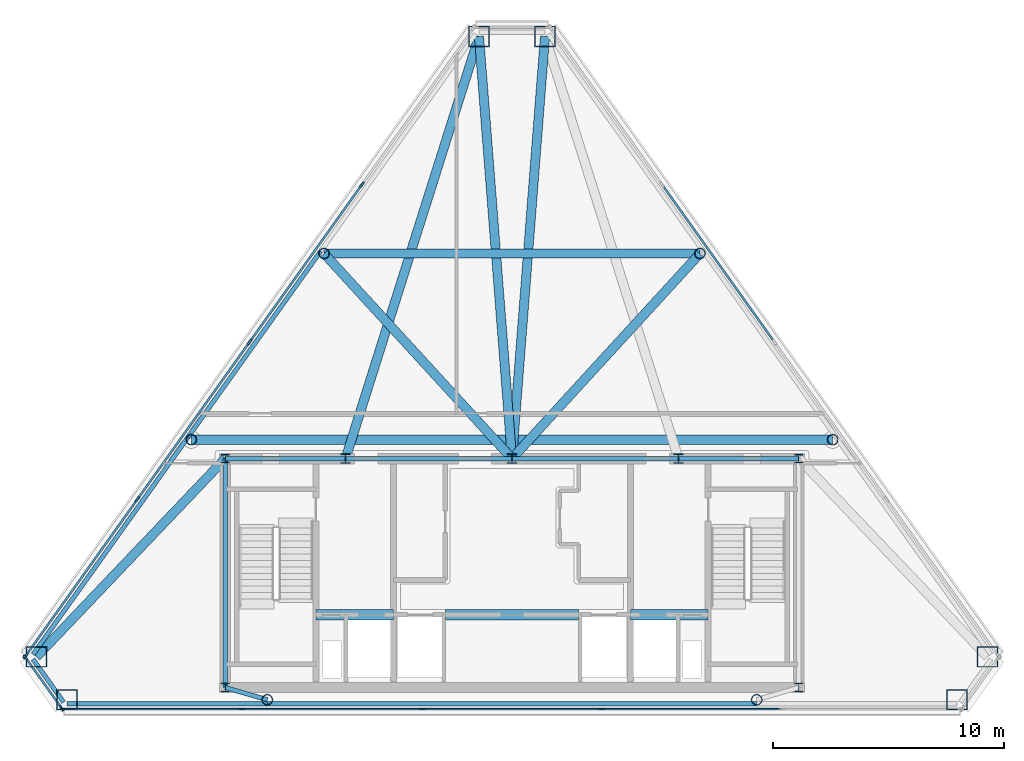
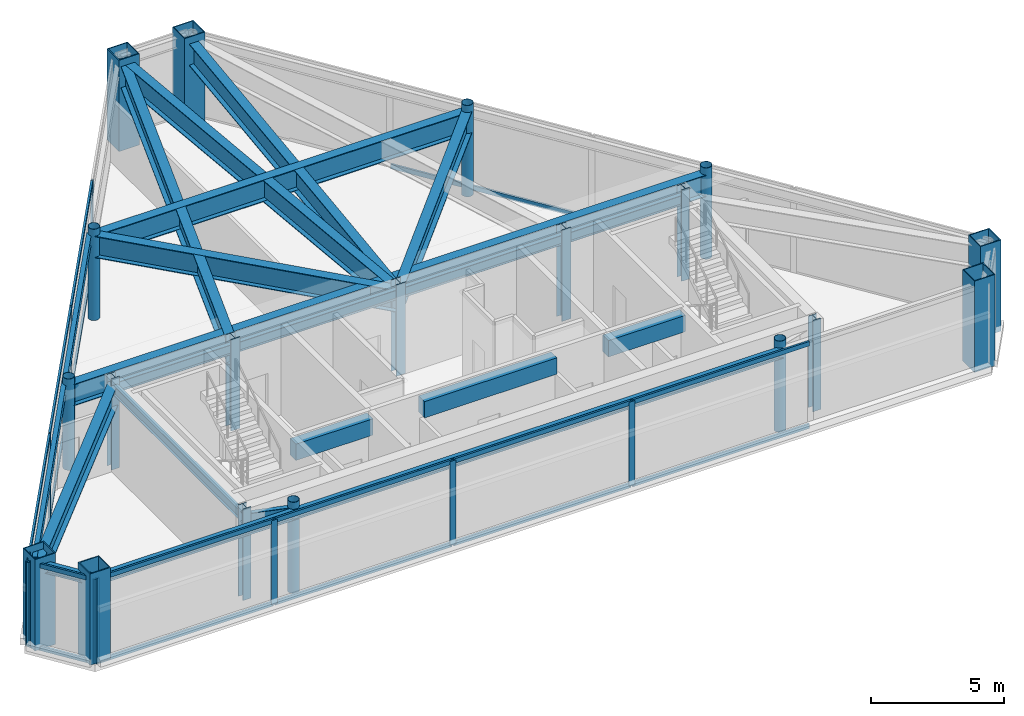
# One storey, part 1 of 5: 27 members, 22 beams, 19 columns, 4 elements without a shape of their own.
"""IFC4 building model written with IfcOpenShell, lengths in metres."""

from ifc_helpers import new_model, si_unit, direction, frame, origin, origin_2d, place, context, subcontext, project, spatial, rectangle, hollow_rectangle, hollow_circle, i_section, extrude, material, layer, layer_set, material_profile, profile_set, type_object, element, aggregate, save


model = new_model("IFC4")

# Units and contexts
model_context = context("Model", 3, precision=1e-05, world=origin(), true_north=direction((0.0, 1.0)))
body_context = subcontext(model_context, "Body", "Model", "MODEL_VIEW")
ifc_project = project(units=[si_unit("LENGTHUNIT", "METRE"), si_unit("AREAUNIT", "SQUARE_METRE"), si_unit("VOLUMEUNIT", "CUBIC_METRE"), si_unit("PLANEANGLEUNIT", "RADIAN"), si_unit("MASSUNIT", "GRAM", prefix="KILO")], contexts=[model_context])

# Site, building, storey
site_placement = place(None, origin())
site = spatial("IfcSite", under=ifc_project, at=site_placement, CompositionType="ELEMENT")
building_placement = place(site_placement, origin())
building = spatial("IfcBuilding", under=site, at=building_placement, Name="Talgorran Terracotta Tower", CompositionType="ELEMENT")
storey_placement = place(building_placement, frame((0.0, 0.0, 297.60009765625)))
storey = spatial("IfcBuildingStorey", under=building, at=storey_placement, Name="L78", CompositionType="ELEMENT", Elevation=297.60009765625)

# Columns
ifc_material_1 = material(Name="Steel S355 (300PLUS)", Category="steel")
ifc_material_profile_1 = material_profile(ifc_material_1, i_section(OverallWidth=0.35205078125, OverallDepth=0.35888671875, WebThickness=0.01806640625, FlangeThickness=0.02587890625, at=origin_2d()), Name="350WC197")
ifc_profile_set_1 = profile_set([ifc_material_profile_1], Name="Steel S355 (300PLUS)")
column_type_1 = type_object("IfcColumnType", Name="COL_350WC197", PredefinedType="COLUMN", material=ifc_profile_set_1)
for number, where, z_axis, x_axis, name in (
    (1, (-12.39990234375, -14.10009765625, 0.0), (0.0, 0.0, 1.0), (1.0, 0.0, 0.0), "L78 Core Boundary Column CC1"),
    (2, (12.39990234375, -14.10009765625, 0.0), (0.0, 0.0, 1.0), (1.0, 0.0, 0.0), "L78 Core Boundary Column CC2"),
    (3, (12.39990234375, -4.199951171875, 0.0), (0.0, 0.0, 1.0), (1.0, 0.0, 0.0), "L78 Core Boundary Column CC3"),
    (4, (-12.39990234375, -4.199951171875, 0.0), (0.0, 0.0, 1.0), (1.0, 0.0, 0.0), "L78 Core Boundary Column CC4"),
):
    element("IfcColumn", number, at=place(storey_placement, frame(where, z_axis=z_axis, x_axis=x_axis)), inside=storey, type_object=column_type_1, Name=name, PredefinedType="COLUMN", context=body_context, shape_type="SweptSolid", body=[
        extrude(i_section(OverallWidth=0.35205078125, OverallDepth=0.35888671875, WebThickness=0.01806640625, FlangeThickness=0.02587890625, at=origin_2d()), origin(), (0.0, 0.0, 1.0), 4.199951171875),
    ])
ifc_material_2 = material(Name="Steel Grade 350 (350L0)", Category="steel")
ifc_material_profile_2 = material_profile(ifc_material_2, hollow_rectangle(XDim=0.89990234375, YDim=0.89990234375, WallThickness=0.0400390625, at=origin_2d()), Name="CFT900X900X40")
ifc_profile_set_2 = profile_set([ifc_material_profile_2], Name="Steel Grade 350 (350L0)")
column_type_2 = type_object("IfcColumnType", Name="COL_CFT_900", PredefinedType="COLUMN", material=ifc_profile_set_2)
for number, where, z_axis, x_axis, name in (
    (5, (-20.566650390625, -12.774658203125, 0.0), (0.0, 0.0, 1.0), (1.0, 0.0, 0.0), "L78 Corner CFT Mega-Column MC1"),
    (6, (-19.242919921875, -14.6298828125, 0.0), (0.0, 0.0, 1.0), (1.0, 0.0, 0.0), "L78 Corner CFT Mega-Column MC2"),
    (7, (19.242919921875, -14.6298828125, 0.0), (0.0, 0.0, 1.0), (1.0, 0.0, 0.0), "L78 Corner CFT Mega-Column MC3"),
    (8, (20.566650390625, -12.774658203125, 0.0), (0.0, 0.0, 1.0), (1.0, 0.0, 0.0), "L78 Corner CFT Mega-Column MC4"),
    (9, (1.4267578125, 14.0546875, 0.0), (0.0, 0.0, 1.0), (1.0, 0.0, 0.0), "L78 Corner CFT Mega-Column MC5"),
    (10, (-1.4267578125, 14.0546875, 0.0), (0.0, 0.0, 1.0), (1.0, 0.0, 0.0), "L78 Corner CFT Mega-Column MC6"),
):
    element("IfcColumn", number, at=place(storey_placement, frame(where, z_axis=z_axis, x_axis=x_axis)), inside=storey, type_object=column_type_2, Name=name, PredefinedType="COLUMN", context=body_context, shape_type="SweptSolid", body=[
        extrude(hollow_rectangle(XDim=0.89990234375, YDim=0.89990234375, WallThickness=0.0400390625, at=origin_2d()), origin(), (0.0, 0.0, 1.0), 4.199951171875),
    ])
ifc_material_3 = material(Name="Steel S350 (C350L0)", Category="steel")
ifc_material_profile_3 = material_profile(ifc_material_3, hollow_circle(Radius=0.228515625, WallThickness=0.01611328125, at=origin_2d()), Name="CHS457X16")
ifc_profile_set_3 = profile_set([ifc_material_profile_3], Name="Steel S350 (C350L0)")
column_type_3 = type_object("IfcColumnType", Name="COL_CHS_457", PredefinedType="COLUMN", material=ifc_profile_set_3)
for number, where, z_axis, x_axis, name in (
    (11, (-10.58349609375, -14.6298828125, 0.0), (0.0, 0.0, 1.0), (1.0, 0.0, 0.0), "L78 Facet Perimeter Column FC1"),
    (12, (10.58349609375, -14.6298828125, 0.0), (0.0, 0.0, 1.0), (1.0, 0.0, 0.0), "L78 Facet Perimeter Column FC2"),
    (13, (13.86767578125, -3.384521484375, 0.0), (0.0, 0.0, 1.0), (1.0, 0.0, 0.0), "L78 Facet Perimeter Column FC3"),
    (14, (8.125732421875, 4.664306640625, 0.0), (0.0, 0.0, 1.0), (1.0, 0.0, 0.0), "L78 Facet Perimeter Column FC4"),
    (15, (-8.125732421875, 4.664306640625, 0.0), (0.0, 0.0, 1.0), (1.0, 0.0, 0.0), "L78 Facet Perimeter Column FC5"),
    (16, (-13.86767578125, -3.384521484375, 0.0), (0.0, 0.0, 1.0), (1.0, 0.0, 0.0), "L78 Facet Perimeter Column FC6"),
):
    element("IfcColumn", number, at=place(storey_placement, frame(where, z_axis=z_axis, x_axis=x_axis)), inside=storey, type_object=column_type_3, Name=name, PredefinedType="COLUMN", context=body_context, shape_type="SweptSolid", body=[
        extrude(hollow_circle(Radius=0.228515625, WallThickness=0.01611328125, at=origin_2d()), origin(), (0.0, 0.0, 1.0), 4.199951171875),
    ])
ifc_material_profile_4 = material_profile(ifc_material_1, i_section(OverallWidth=0.405029296875, OverallDepth=0.4140625, WebThickness=0.02197265625, FlangeThickness=0.031982421875, at=origin_2d()), Name="400WC270")
ifc_profile_set_4 = profile_set([ifc_material_profile_4], Name="Steel S355 (300PLUS)")
column_type_4 = type_object("IfcColumnType", Name="COL_PIL_400WC270", PredefinedType="PILASTER", material=ifc_profile_set_4)
for number, where, z_axis, x_axis, name in (
    (17, (-7.199951171875, -4.199951171875, 0.0), (0.0, 0.0, 1.0), (1.0, 0.0, 0.0), "L78 Core Shear Pilaster CP1"),
    (18, (0.0, -4.199951171875, 0.0), (0.0, 0.0, 1.0), (1.0, 0.0, 0.0), "L78 Core Shear Pilaster CP2"),
    (19, (7.199951171875, -4.199951171875, 0.0), (0.0, 0.0, 1.0), (1.0, 0.0, 0.0), "L78 Core Shear Pilaster CP3"),
):
    element("IfcColumn", number, at=place(storey_placement, frame(where, z_axis=z_axis, x_axis=x_axis)), inside=storey, type_object=column_type_4, Name=name, PredefinedType="PILASTER", context=body_context, shape_type="SweptSolid", body=[
        extrude(i_section(OverallWidth=0.405029296875, OverallDepth=0.4140625, WebThickness=0.02197265625, FlangeThickness=0.031982421875, at=origin_2d()), origin(), (0.0, 0.0, 1.0), 4.199951171875),
    ])

# Beams
ifc_material_profile_5 = material_profile(ifc_material_2, i_section(OverallWidth=0.39990234375, OverallDepth=1.0, WebThickness=0.01611328125, FlangeThickness=0.031005859375, at=origin_2d()), Name="1000WB296")
ifc_profile_set_5 = profile_set([ifc_material_profile_5], Name="Steel Grade 350 (350L0)")
beam_type_1 = type_object("IfcBeamType", Name="BM_1000WB296", PredefinedType="BEAM", material=ifc_profile_set_5)
beam_1_placement = place(storey_placement, frame((-7.199951171875, -4.199951171875, 3.3798828125), z_axis=(0.301538397756, 0.953454033857, 0.0), x_axis=(-0.953454033857, 0.301538397756, 0.0)))
element("IfcBeam", 20, at=beam_1_placement, inside=storey, type_object=beam_type_1, Name="L78 Observation/Crown Girder OG1", PredefinedType="BEAM", context=body_context, shape_type="SweptSolid", body=[
    extrude(i_section(OverallWidth=0.39990234375, OverallDepth=1.0, WebThickness=0.01611328125, FlangeThickness=0.031005859375, at=origin_2d()), origin(), (0.0, 0.0, 1.0), 19.145751953125),
])
for number, where, z_axis, x_axis, name in (
    (21, (0.0, -4.199951171875, 3.3798828125), (-0.077921005866, 0.996959536212, 0.0), (-0.996959536212, -0.077921005866, 0.0), "L78 Observation/Crown Girder OG1T"),
    (22, (0.0, -4.199951171875, 3.3798828125), (0.077921005866, 0.996959536212, 0.0), (-0.996959536212, 0.077921005866, 0.0), "L78 Observation/Crown Girder OG2T"),
):
    element("IfcBeam", number, at=place(storey_placement, frame(where, z_axis=z_axis, x_axis=x_axis)), inside=storey, type_object=beam_type_1, Name=name, PredefinedType="BEAM", context=body_context, shape_type="SweptSolid", body=[
        extrude(i_section(OverallWidth=0.39990234375, OverallDepth=1.0, WebThickness=0.01611328125, FlangeThickness=0.031005859375, at=origin_2d()), origin(), (0.0, 0.0, 1.0), 18.310302734375),
    ])
for number, where, z_axis, x_axis, name in (
    (23, (0.0, -4.199951171875, 3.3798828125), (-0.675731983394, 0.737147398163, 0.0), (-0.737147398163, -0.675731983394, 0.0), "L78 Observation/Crown Girder OG3"),
    (24, (0.0, -4.199951171875, 3.3798828125), (0.675731983394, 0.737147398163, 0.0), (-0.737147398163, 0.675731983394, 0.0), "L78 Observation/Crown Girder OG3B"),
):
    element("IfcBeam", number, at=place(storey_placement, frame(where, z_axis=z_axis, x_axis=x_axis)), inside=storey, type_object=beam_type_1, Name=name, PredefinedType="BEAM", context=body_context, shape_type="SweptSolid", body=[
        extrude(i_section(OverallWidth=0.39990234375, OverallDepth=1.0, WebThickness=0.01611328125, FlangeThickness=0.031005859375, at=origin_2d()), origin(), (0.0, 0.0, 1.0), 12.025146484375),
    ])
beam_2_placement = place(storey_placement, frame((-13.86767578125, -3.384521484375, 3.3798828125), z_axis=(1.0, 0.0, 0.0), x_axis=(0.0, 1.0, 0.0)))
element("IfcBeam", 25, at=beam_2_placement, inside=storey, type_object=beam_type_1, Name="L78 Observation/Crown Girder OG4", PredefinedType="BEAM", context=body_context, shape_type="SweptSolid", body=[
    extrude(i_section(OverallWidth=0.39990234375, OverallDepth=1.0, WebThickness=0.01611328125, FlangeThickness=0.031005859375, at=origin_2d()), origin(), (0.0, 0.0, 1.0), 27.7353515625),
])
beam_3_placement = place(storey_placement, frame((-8.125732421875, 4.664306640625, 3.3798828125), z_axis=(1.0, 0.0, 0.0), x_axis=(0.0, 1.0, 0.0)))
element("IfcBeam", 26, at=beam_3_placement, inside=storey, type_object=beam_type_1, Name="L78 Observation/Crown Girder OG5", PredefinedType="BEAM", context=body_context, shape_type="SweptSolid", body=[
    extrude(i_section(OverallWidth=0.39990234375, OverallDepth=1.0, WebThickness=0.01611328125, FlangeThickness=0.031005859375, at=origin_2d()), origin(), (0.0, 0.0, 1.0), 16.25146484375),
])
beam_4_placement = place(storey_placement, frame((-12.39990234375, -4.199951171875, 3.3798828125), z_axis=(-0.689671131697, -0.724122731382, 0.0), x_axis=(0.724122731382, -0.689671131697, 0.0)))
element("IfcBeam", 27, at=beam_4_placement, inside=storey, type_object=beam_type_1, Name="L78 Observation/Crown Girder OG6", PredefinedType="BEAM", context=body_context, shape_type="SweptSolid", body=[
    extrude(i_section(OverallWidth=0.39990234375, OverallDepth=1.0, WebThickness=0.01611328125, FlangeThickness=0.031005859375, at=origin_2d()), origin(), (0.0, 0.0, 1.0), 11.841552734375),
])
ifc_material_4 = material(Name="Concrete C50/60", Category="concrete")
ifc_material_profile_6 = material_profile(ifc_material_4, rectangle(XDim=0.449951171875, YDim=0.75, at=origin_2d()), Name="RCCB450X750")
ifc_profile_set_6 = profile_set([ifc_material_profile_6], Name="Concrete C50/60")
beam_type_2 = type_object("IfcBeamType", Name="BM_CB_450X750", PredefinedType="LINTEL", material=ifc_profile_set_6)
beam_5_placement = place(storey_placement, frame((-8.47998046875, -10.949951171875, 3.5048828125), z_axis=(1.0, 0.0, 0.0), x_axis=(0.0, 1.0, 0.0)))
element("IfcBeam", 28, at=beam_5_placement, inside=storey, type_object=beam_type_2, Name="L78 Core Shear-Wall Coupling Beam CB1", PredefinedType="LINTEL", context=body_context, shape_type="SweptSolid", body=[
    extrude(rectangle(XDim=0.449951171875, YDim=0.75, at=origin_2d()), origin(), (0.0, 0.0, 1.0), 3.35986328125),
])
beam_6_placement = place(storey_placement, frame((-2.8798828125, -10.949951171875, 3.5048828125), z_axis=(1.0, 0.0, 0.0), x_axis=(0.0, 1.0, 0.0)))
element("IfcBeam", 29, at=beam_6_placement, inside=storey, type_object=beam_type_2, Name="L78 Core Shear-Wall Coupling Beam CB2", PredefinedType="LINTEL", context=body_context, shape_type="SweptSolid", body=[
    extrude(rectangle(XDim=0.449951171875, YDim=0.75, at=origin_2d()), origin(), (0.0, 0.0, 1.0), 5.759765625),
])
beam_7_placement = place(storey_placement, frame((5.1201171875, -10.949951171875, 3.5048828125), z_axis=(1.0, 0.0, 0.0), x_axis=(0.0, 1.0, 0.0)))
element("IfcBeam", 30, at=beam_7_placement, inside=storey, type_object=beam_type_2, Name="L78 Core Shear-Wall Coupling Beam CB3", PredefinedType="LINTEL", context=body_context, shape_type="SweptSolid", body=[
    extrude(rectangle(XDim=0.449951171875, YDim=0.75, at=origin_2d()), origin(), (0.0, 0.0, 1.0), 3.35986328125),
])
ifc_material_profile_7 = material_profile(ifc_material_1, i_section(OverallWidth=0.18994140625, OverallDepth=0.45703125, WebThickness=0.009033203125, FlangeThickness=0.014404296875, at=origin_2d()), Name="460UB74.6")
ifc_profile_set_7 = profile_set([ifc_material_profile_7], Name="Steel S355 (300PLUS)")
beam_type_3 = type_object("IfcBeamType", Name="BM_SP_460UB74", PredefinedType="SPANDREL", material=ifc_profile_set_7)
beam_8_placement = place(storey_placement, frame((-20.713134765625, -12.879150390625, 3.6513671875), z_axis=(0.580772007805, -0.814066259557, 0.0), x_axis=(0.814066259557, 0.580772007805, 0.0)))
element("IfcBeam", 31, at=beam_8_placement, inside=storey, type_object=beam_type_3, Name="L78 Perimeter Spandrel Beam MC1-MC2", PredefinedType="SPANDREL", context=body_context, shape_type="SweptSolid", body=[
    extrude(i_section(OverallWidth=0.18994140625, OverallDepth=0.45703125, WebThickness=0.009033203125, FlangeThickness=0.014404296875, at=origin_2d()), origin(), (0.0, 0.0, 1.0), 2.279296875),
])
beam_9_placement = place(storey_placement, frame((-19.242919921875, -14.81005859375, 3.6513671875), z_axis=(1.0, 0.0, 0.0), x_axis=(0.0, 1.0, 0.0)))
element("IfcBeam", 32, at=beam_9_placement, inside=storey, type_object=beam_type_3, Name="L78 Perimeter Spandrel Beam MC2-FC1", PredefinedType="SPANDREL", context=body_context, shape_type="SweptSolid", body=[
    extrude(i_section(OverallWidth=0.18994140625, OverallDepth=0.45703125, WebThickness=0.009033203125, FlangeThickness=0.014404296875, at=origin_2d()), origin(), (0.0, 0.0, 1.0), 8.659423828125),
])
beam_10_placement = place(storey_placement, frame((-10.58349609375, -14.81005859375, 3.6513671875), z_axis=(1.0, 0.0, 0.0), x_axis=(0.0, 1.0, 0.0)))
element("IfcBeam", 33, at=beam_10_placement, inside=storey, type_object=beam_type_3, Name="L78 Perimeter Spandrel Beam FC1-FC2", PredefinedType="SPANDREL", context=body_context, shape_type="SweptSolid", body=[
    extrude(i_section(OverallWidth=0.18994140625, OverallDepth=0.45703125, WebThickness=0.009033203125, FlangeThickness=0.014404296875, at=origin_2d()), origin(), (0.0, 0.0, 1.0), 21.1669921875),
])
beam_11_placement = place(storey_placement, frame((-8.272216796875, 4.768798828125, 3.6513671875), z_axis=(-0.58076625008, -0.814070367209, 0.0), x_axis=(0.814070367209, -0.58076625008, 0.0)))
element("IfcBeam", 34, at=beam_11_placement, inside=storey, type_object=beam_type_3, Name="L78 Perimeter Spandrel Beam FC5-FC6", PredefinedType="SPANDREL", context=body_context, shape_type="SweptSolid", body=[
    extrude(i_section(OverallWidth=0.18994140625, OverallDepth=0.45703125, WebThickness=0.009033203125, FlangeThickness=0.014404296875, at=origin_2d()), origin(), (0.0, 0.0, 1.0), 9.88671875),
])
beam_12_placement = place(storey_placement, frame((-14.01416015625, -3.27978515625, 3.6513671875), z_axis=(-0.580753577836, -0.81407940757, 0.0), x_axis=(0.81407940757, -0.580753577836, 0.0)))
element("IfcBeam", 35, at=beam_12_placement, inside=storey, type_object=beam_type_3, Name="L78 Perimeter Spandrel Beam FC6-MC1", PredefinedType="SPANDREL", context=body_context, shape_type="SweptSolid", body=[
    extrude(i_section(OverallWidth=0.18994140625, OverallDepth=0.45703125, WebThickness=0.009033203125, FlangeThickness=0.014404296875, at=origin_2d()), origin(), (0.0, 0.0, 1.0), 11.534912109375),
])
beam_13_placement = place(storey_placement, frame((-10.58349609375, -14.6298828125, 3.6513671875), z_axis=(-0.96, 0.28, 0.0), x_axis=(-0.28, -0.96, 0.0)))
element("IfcBeam", 36, at=beam_13_placement, inside=storey, type_object=beam_type_3, Name="L78 South-West Core Tie Beam", PredefinedType="SPANDREL", context=body_context, shape_type="SweptSolid", body=[
    extrude(i_section(OverallWidth=0.18994140625, OverallDepth=0.45703125, WebThickness=0.009033203125, FlangeThickness=0.014404296875, at=origin_2d()), origin(), (0.0, 0.0, 1.0), 1.89208984375),
])
beam_14_placement = place(storey_placement, frame((-12.39990234375, -14.10009765625, 3.6513671875), z_axis=(0.0, 1.0, 0.0), x_axis=(-1.0, 0.0, 0.0)))
element("IfcBeam", 37, at=beam_14_placement, inside=storey, type_object=beam_type_3, Name="L78 Core Frame Beam CFW", PredefinedType="SPANDREL", context=body_context, shape_type="SweptSolid", body=[
    extrude(i_section(OverallWidth=0.18994140625, OverallDepth=0.45703125, WebThickness=0.009033203125, FlangeThickness=0.014404296875, at=origin_2d()), origin(), (0.0, 0.0, 1.0), 9.900146484375),
])
beam_15_placement = place(storey_placement, frame((-12.39990234375, -4.199951171875, 3.6513671875), z_axis=(1.0, 0.0, 0.0), x_axis=(0.0, 1.0, 0.0)))
element("IfcBeam", 38, at=beam_15_placement, inside=storey, type_object=beam_type_3, Name="L78 Core Frame Beam CFN1", PredefinedType="SPANDREL", context=body_context, shape_type="SweptSolid", body=[
    extrude(i_section(OverallWidth=0.18994140625, OverallDepth=0.45703125, WebThickness=0.009033203125, FlangeThickness=0.014404296875, at=origin_2d()), origin(), (0.0, 0.0, 1.0), 5.199951171875),
])
for number, where, z_axis, x_axis, name in (
    (39, (-7.199951171875, -4.199951171875, 3.6513671875), (1.0, 0.0, 0.0), (0.0, 1.0, 0.0), "L78 Core Frame Beam CFN2"),
    (40, (0.0, -4.199951171875, 3.6513671875), (1.0, 0.0, 0.0), (0.0, 1.0, 0.0), "L78 Core Frame Beam CFN3"),
):
    element("IfcBeam", number, at=place(storey_placement, frame(where, z_axis=z_axis, x_axis=x_axis)), inside=storey, type_object=beam_type_3, Name=name, PredefinedType="SPANDREL", context=body_context, shape_type="SweptSolid", body=[
        extrude(i_section(OverallWidth=0.18994140625, OverallDepth=0.45703125, WebThickness=0.009033203125, FlangeThickness=0.014404296875, at=origin_2d()), origin(), (0.0, 0.0, 1.0), 7.199951171875),
    ])
beam_16_placement = place(storey_placement, frame((7.199951171875, -4.199951171875, 3.6513671875), z_axis=(1.0, 0.0, 0.0), x_axis=(0.0, 1.0, 0.0)))
element("IfcBeam", 41, at=beam_16_placement, inside=storey, type_object=beam_type_3, Name="L78 Core Frame Beam CFN4", PredefinedType="SPANDREL", context=body_context, shape_type="SweptSolid", body=[
    extrude(i_section(OverallWidth=0.18994140625, OverallDepth=0.45703125, WebThickness=0.009033203125, FlangeThickness=0.014404296875, at=origin_2d()), origin(), (0.0, 0.0, 1.0), 5.199951171875),
])

# Curtain wall, members
ifc_material_5 = material(Name="Anodised Aluminium Louvre", Category="aluminium")
ifc_layer = layer(ifc_material_5, 0.25, Name="CW_SYS4_LOUVRE")
ifc_layer_set = layer_set([ifc_layer], Name="Anodised Aluminium Louvre")
curtain_wall_type = type_object("IfcCurtainWallType", Name="CW_SYS4_LOUVRE", PredefinedType="NOTDEFINED", material=ifc_layer_set)
curtain_wall_1_placement = place(storey_placement, origin())
curtain_wall_1 = element("IfcCurtainWall", 42, at=curtain_wall_1_placement, inside=storey, type_object=curtain_wall_type, Name="CW-L78-F0", PredefinedType="NOTDEFINED")
ifc_material_6 = material(Name="Architectural Aluminium 6063-T6", Category="aluminium")
ifc_material_profile_8 = material_profile(ifc_material_6, rectangle(XDim=0.0849609375, YDim=0.260009765625, at=origin_2d()), Name="CWM85X260")
ifc_profile_set_8 = profile_set([ifc_material_profile_8], Name="Architectural Aluminium 6063-T6")
member_type_1 = type_object("IfcMemberType", Name="MUL_85X260", PredefinedType="MULLION", material=ifc_profile_set_8)
member_1_placement = place(storey_placement, frame((-21.033203125, -12.80908203125, 0.0), z_axis=(0.0, 0.0, 1.0), x_axis=(0.814074765018, 0.580760085543, 0.0)))
member_1 = element("IfcMember", 43, at=member_1_placement, type_object=member_type_1, Name="CW-L78-0 mullion 1", PredefinedType="MULLION", context=body_context, shape_type="SweptSolid", body=[
    extrude(rectangle(XDim=0.0849609375, YDim=0.260009765625, at=origin_2d()), origin(), (0.0, 0.0, 1.0), 3.8798828125),
])
member_2_placement = place(storey_placement, frame((-19.4736328125, -14.995361328125, 0.0), z_axis=(0.0, 0.0, 1.0), x_axis=(0.814074765018, 0.580760085543, 0.0)))
member_2 = element("IfcMember", 44, at=member_2_placement, type_object=member_type_1, Name="CW-L78-0 mullion 2", PredefinedType="MULLION", context=body_context, shape_type="SweptSolid", body=[
    extrude(rectangle(XDim=0.0849609375, YDim=0.260009765625, at=origin_2d()), origin(), (0.0, 0.0, 1.0), 3.8798828125),
])

curtain_wall_2_placement = place(storey_placement, origin())
curtain_wall_2 = element("IfcCurtainWall", 45, at=curtain_wall_2_placement, inside=storey, type_object=curtain_wall_type, Name="CW-L78-F1", PredefinedType="NOTDEFINED")
member_3_placement = place(storey_placement, frame((-19.406494140625, -15.030029296875, 0.0), z_axis=(0.0, 0.0, 1.0), x_axis=(0.0, 1.0, 0.0)))
member_3 = element("IfcMember", 46, at=member_3_placement, type_object=member_type_1, Name="CW-L78-1 mullion 1", PredefinedType="MULLION", context=body_context, shape_type="SweptSolid", body=[
    extrude(rectangle(XDim=0.0849609375, YDim=0.260009765625, at=origin_2d()), origin(), (0.0, 0.0, 1.0), 3.8798828125),
])
member_4_placement = place(storey_placement, frame((-11.66943359375, -15.030029296875, 0.0), z_axis=(0.0, 0.0, 1.0), x_axis=(0.0, 1.0, 0.0)))
member_4 = element("IfcMember", 47, at=member_4_placement, type_object=member_type_1, Name="CW-L78-1 mullion 2", PredefinedType="MULLION", context=body_context, shape_type="SweptSolid", body=[
    extrude(rectangle(XDim=0.0849609375, YDim=0.260009765625, at=origin_2d()), origin(), (0.0, 0.0, 1.0), 3.8798828125),
])
member_5_placement = place(storey_placement, frame((-3.889892578125, -15.030029296875, 0.0), z_axis=(0.0, 0.0, 1.0), x_axis=(0.0, 1.0, 0.0)))
member_5 = element("IfcMember", 48, at=member_5_placement, type_object=member_type_1, Name="CW-L78-1 mullion 3", PredefinedType="MULLION", context=body_context, shape_type="SweptSolid", body=[
    extrude(rectangle(XDim=0.0849609375, YDim=0.260009765625, at=origin_2d()), origin(), (0.0, 0.0, 1.0), 3.8798828125),
])
member_6_placement = place(storey_placement, frame((3.889892578125, -15.030029296875, 0.0), z_axis=(0.0, 0.0, 1.0), x_axis=(0.0, 1.0, 0.0)))
member_6 = element("IfcMember", 49, at=member_6_placement, type_object=member_type_1, Name="CW-L78-1 mullion 4", PredefinedType="MULLION", context=body_context, shape_type="SweptSolid", body=[
    extrude(rectangle(XDim=0.0849609375, YDim=0.260009765625, at=origin_2d()), origin(), (0.0, 0.0, 1.0), 3.8798828125),
])

curtain_wall_3_placement = place(storey_placement, origin())
curtain_wall_3 = element("IfcCurtainWall", 50, at=curtain_wall_3_placement, inside=storey, type_object=curtain_wall_type, Name="CW-L78-F5", PredefinedType="NOTDEFINED")
member_7_placement = place(storey_placement, frame((-6.489013671875, 7.647216796875, 0.0), z_axis=(0.0, 0.0, 1.0), x_axis=(0.814075935218, -0.580758445224, 0.0)))
member_7 = element("IfcMember", 51, at=member_7_placement, type_object=member_type_1, Name="CW-L78-5 mullion 2", PredefinedType="MULLION", context=body_context, shape_type="SweptSolid", body=[
    extrude(rectangle(XDim=0.0849609375, YDim=0.260009765625, at=origin_2d()), origin(), (0.0, 0.0, 1.0), 3.8798828125),
])
member_8_placement = place(storey_placement, frame((-11.345458984375, 0.840087890625, 0.0), z_axis=(0.0, 0.0, 1.0), x_axis=(0.814075935218, -0.580758445224, 0.0)))
member_8 = element("IfcMember", 52, at=member_8_placement, type_object=member_type_1, Name="CW-L78-5 mullion 3", PredefinedType="MULLION", context=body_context, shape_type="SweptSolid", body=[
    extrude(rectangle(XDim=0.0849609375, YDim=0.260009765625, at=origin_2d()), origin(), (0.0, 0.0, 1.0), 3.8798828125),
])
member_9_placement = place(storey_placement, frame((-16.20166015625, -5.96728515625, 0.0), z_axis=(0.0, 0.0, 1.0), x_axis=(0.814075935218, -0.580758445224, 0.0)))
member_9 = element("IfcMember", 53, at=member_9_placement, type_object=member_type_1, Name="CW-L78-5 mullion 4", PredefinedType="MULLION", context=body_context, shape_type="SweptSolid", body=[
    extrude(rectangle(XDim=0.0849609375, YDim=0.260009765625, at=origin_2d()), origin(), (0.0, 0.0, 1.0), 3.8798828125),
])
member_10_placement = place(storey_placement, frame((-21.033203125, -12.739990234375, 0.0), z_axis=(0.0, 0.0, 1.0), x_axis=(0.814075935218, -0.580758445224, 0.0)))
member_10 = element("IfcMember", 54, at=member_10_placement, type_object=member_type_1, Name="CW-L78-5 mullion 5", PredefinedType="MULLION", context=body_context, shape_type="SweptSolid", body=[
    extrude(rectangle(XDim=0.0849609375, YDim=0.260009765625, at=origin_2d()), origin(), (0.0, 0.0, 1.0), 3.8798828125),
])

# Member
ifc_material_profile_9 = material_profile(ifc_material_6, rectangle(XDim=0.0849609375, YDim=0.2099609375, at=origin_2d()), Name="CWT85X210")
ifc_profile_set_9 = profile_set([ifc_material_profile_9], Name="Architectural Aluminium 6063-T6")
member_type_2 = type_object("IfcMemberType", Name="TRN_85X210", PredefinedType="USERDEFINED", material=ifc_profile_set_9)
member_11_placement = place(storey_placement, frame((-21.008544921875, -12.84375, 0.04248046875), z_axis=(0.580767406983, -0.814069541861, 0.0), x_axis=(0.814069541861, 0.580767406983, 0.0)))
member_11 = element("IfcMember", 55, at=member_11_placement, type_object=member_type_2, Name="CW-L78-0 transom 1.1", ObjectType="TRANSOM", PredefinedType="USERDEFINED", context=body_context, shape_type="SweptSolid", body=[
    extrude(rectangle(XDim=0.0849609375, YDim=0.2099609375, at=origin_2d()), origin(), (0.0, 0.0, 1.0), 2.600341796875),
])

member_12_placement = place(storey_placement, frame((-21.008544921875, -12.84375, 3.83740234375), z_axis=(0.580767406983, -0.814069541861, 0.0), x_axis=(0.814069541861, 0.580767406983, 0.0)))
member_12 = element("IfcMember", 56, at=member_12_placement, type_object=member_type_2, Name="CW-L78-0 transom 1.2", ObjectType="TRANSOM", PredefinedType="USERDEFINED", context=body_context, shape_type="SweptSolid", body=[
    extrude(rectangle(XDim=0.0849609375, YDim=0.2099609375, at=origin_2d()), origin(), (0.0, 0.0, 1.0), 2.600341796875),
])

aggregate(curtain_wall_1, [member_1, member_2, member_11, member_12])

member_13_placement = place(storey_placement, frame((-19.364013671875, -15.030029296875, 0.04248046875), z_axis=(1.0, 0.0, 0.0), x_axis=(0.0, 1.0, 0.0)))
member_13 = element("IfcMember", 57, at=member_13_placement, type_object=member_type_2, Name="CW-L78-1 transom 1.1", ObjectType="TRANSOM", PredefinedType="USERDEFINED", context=body_context, shape_type="SweptSolid", body=[
    extrude(rectangle(XDim=0.0849609375, YDim=0.2099609375, at=origin_2d()), origin(), (0.0, 0.0, 1.0), 7.652099609375),
])

member_14_placement = place(storey_placement, frame((-19.364013671875, -15.030029296875, 3.83740234375), z_axis=(1.0, 0.0, 0.0), x_axis=(0.0, 1.0, 0.0)))
member_14 = element("IfcMember", 58, at=member_14_placement, type_object=member_type_2, Name="CW-L78-1 transom 1.2", ObjectType="TRANSOM", PredefinedType="USERDEFINED", context=body_context, shape_type="SweptSolid", body=[
    extrude(rectangle(XDim=0.0849609375, YDim=0.2099609375, at=origin_2d()), origin(), (0.0, 0.0, 1.0), 7.652099609375),
])

member_15_placement = place(storey_placement, frame((-11.626953125, -15.030029296875, 0.04248046875), z_axis=(1.0, 0.0, 0.0), x_axis=(0.0, 1.0, 0.0)))
member_15 = element("IfcMember", 59, at=member_15_placement, type_object=member_type_2, Name="CW-L78-1 transom 2.1", ObjectType="TRANSOM", PredefinedType="USERDEFINED", context=body_context, shape_type="SweptSolid", body=[
    extrude(rectangle(XDim=0.0849609375, YDim=0.2099609375, at=origin_2d()), origin(), (0.0, 0.0, 1.0), 7.694580078125),
])

member_16_placement = place(storey_placement, frame((-11.626953125, -15.030029296875, 3.83740234375), z_axis=(1.0, 0.0, 0.0), x_axis=(0.0, 1.0, 0.0)))
member_16 = element("IfcMember", 60, at=member_16_placement, type_object=member_type_2, Name="CW-L78-1 transom 2.2", ObjectType="TRANSOM", PredefinedType="USERDEFINED", context=body_context, shape_type="SweptSolid", body=[
    extrude(rectangle(XDim=0.0849609375, YDim=0.2099609375, at=origin_2d()), origin(), (0.0, 0.0, 1.0), 7.694580078125),
])

member_17_placement = place(storey_placement, frame((-3.847412109375, -15.030029296875, 0.04248046875), z_axis=(1.0, 0.0, 0.0), x_axis=(0.0, 1.0, 0.0)))
member_17 = element("IfcMember", 61, at=member_17_placement, type_object=member_type_2, Name="CW-L78-1 transom 3.1", ObjectType="TRANSOM", PredefinedType="USERDEFINED", context=body_context, shape_type="SweptSolid", body=[
    extrude(rectangle(XDim=0.0849609375, YDim=0.2099609375, at=origin_2d()), origin(), (0.0, 0.0, 1.0), 7.69482421875),
])

member_18_placement = place(storey_placement, frame((-3.847412109375, -15.030029296875, 3.83740234375), z_axis=(1.0, 0.0, 0.0), x_axis=(0.0, 1.0, 0.0)))
member_18 = element("IfcMember", 62, at=member_18_placement, type_object=member_type_2, Name="CW-L78-1 transom 3.2", ObjectType="TRANSOM", PredefinedType="USERDEFINED", context=body_context, shape_type="SweptSolid", body=[
    extrude(rectangle(XDim=0.0849609375, YDim=0.2099609375, at=origin_2d()), origin(), (0.0, 0.0, 1.0), 7.69482421875),
])

member_19_placement = place(storey_placement, frame((3.932373046875, -15.030029296875, 0.04248046875), z_axis=(1.0, 0.0, 0.0), x_axis=(0.0, 1.0, 0.0)))
member_19 = element("IfcMember", 63, at=member_19_placement, type_object=member_type_2, Name="CW-L78-1 transom 4.1", ObjectType="TRANSOM", PredefinedType="USERDEFINED", context=body_context, shape_type="SweptSolid", body=[
    extrude(rectangle(XDim=0.0849609375, YDim=0.2099609375, at=origin_2d()), origin(), (0.0, 0.0, 1.0), 7.694580078125),
])

member_20_placement = place(storey_placement, frame((3.932373046875, -15.030029296875, 3.83740234375), z_axis=(1.0, 0.0, 0.0), x_axis=(0.0, 1.0, 0.0)))
member_20 = element("IfcMember", 64, at=member_20_placement, type_object=member_type_2, Name="CW-L78-1 transom 4.2", ObjectType="TRANSOM", PredefinedType="USERDEFINED", context=body_context, shape_type="SweptSolid", body=[
    extrude(rectangle(XDim=0.0849609375, YDim=0.2099609375, at=origin_2d()), origin(), (0.0, 0.0, 1.0), 7.694580078125),
])

aggregate(curtain_wall_2, [member_3, member_4, member_5, member_6, member_13, member_14, member_15, member_16, member_17, member_18, member_19, member_20])

# Curtain wall, member
curtain_wall_4_placement = place(storey_placement, origin())
curtain_wall_4 = element("IfcCurtainWall", 65, at=curtain_wall_4_placement, inside=storey, type_object=curtain_wall_type, Name="CW-L78-F3", PredefinedType="NOTDEFINED")
member_21_placement = place(storey_placement, frame((11.32080078125, 0.87451171875, 0.04248046875), z_axis=(-0.580763777589, 0.814072131104, 0.0), x_axis=(-0.814072131104, -0.580763777589, 0.0)))
member_21 = element("IfcMember", 66, at=member_21_placement, type_object=member_type_2, Name="CW-L78-3 transom 3.1", ObjectType="TRANSOM", PredefinedType="USERDEFINED", context=body_context, shape_type="SweptSolid", body=[
    extrude(rectangle(XDim=0.0849609375, YDim=0.2099609375, at=origin_2d()), origin(), (0.0, 0.0, 1.0), 8.27734375),
])
aggregate(curtain_wall_4, [member_21])

# Member
member_22_placement = place(storey_placement, frame((-6.513671875, 7.61279296875, 0.04248046875), z_axis=(-0.580763777589, -0.814072131104, 0.0), x_axis=(0.814072131104, -0.580763777589, 0.0)))
member_22 = element("IfcMember", 67, at=member_22_placement, type_object=member_type_2, Name="CW-L78-5 transom 2.1", ObjectType="TRANSOM", PredefinedType="USERDEFINED", context=body_context, shape_type="SweptSolid", body=[
    extrude(rectangle(XDim=0.0849609375, YDim=0.2099609375, at=origin_2d()), origin(), (0.0, 0.0, 1.0), 8.27734375),
])

member_23_placement = place(storey_placement, frame((-6.513671875, 7.61279296875, 3.83740234375), z_axis=(-0.580763777589, -0.814072131104, 0.0), x_axis=(0.814072131104, -0.580763777589, 0.0)))
member_23 = element("IfcMember", 68, at=member_23_placement, type_object=member_type_2, Name="CW-L78-5 transom 2.2", ObjectType="TRANSOM", PredefinedType="USERDEFINED", context=body_context, shape_type="SweptSolid", body=[
    extrude(rectangle(XDim=0.0849609375, YDim=0.2099609375, at=origin_2d()), origin(), (0.0, 0.0, 1.0), 8.27734375),
])

member_24_placement = place(storey_placement, frame((-11.3701171875, 0.805419921875, 0.04248046875), z_axis=(-0.580758175294, -0.814076127785, 0.0), x_axis=(0.814076127785, -0.580758175294, 0.0)))
member_24 = element("IfcMember", 69, at=member_24_placement, type_object=member_type_2, Name="CW-L78-5 transom 3.1", ObjectType="TRANSOM", PredefinedType="USERDEFINED", context=body_context, shape_type="SweptSolid", body=[
    extrude(rectangle(XDim=0.0849609375, YDim=0.2099609375, at=origin_2d()), origin(), (0.0, 0.0, 1.0), 8.27685546875),
])

member_25_placement = place(storey_placement, frame((-11.3701171875, 0.805419921875, 3.83740234375), z_axis=(-0.580758175294, -0.814076127785, 0.0), x_axis=(0.814076127785, -0.580758175294, 0.0)))
member_25 = element("IfcMember", 70, at=member_25_placement, type_object=member_type_2, Name="CW-L78-5 transom 3.2", ObjectType="TRANSOM", PredefinedType="USERDEFINED", context=body_context, shape_type="SweptSolid", body=[
    extrude(rectangle(XDim=0.0849609375, YDim=0.2099609375, at=origin_2d()), origin(), (0.0, 0.0, 1.0), 8.27685546875),
])

member_26_placement = place(storey_placement, frame((-16.226318359375, -6.001953125, 0.04248046875), z_axis=(-0.580764112187, -0.8140718924, 0.0), x_axis=(0.8140718924, -0.580764112187, 0.0)))
member_26 = element("IfcMember", 71, at=member_26_placement, type_object=member_type_2, Name="CW-L78-5 transom 4.1", ObjectType="TRANSOM", PredefinedType="USERDEFINED", context=body_context, shape_type="SweptSolid", body=[
    extrude(rectangle(XDim=0.0849609375, YDim=0.2099609375, at=origin_2d()), origin(), (0.0, 0.0, 1.0), 8.234375),
])

member_27_placement = place(storey_placement, frame((-16.226318359375, -6.001953125, 3.83740234375), z_axis=(-0.580764112187, -0.8140718924, 0.0), x_axis=(0.8140718924, -0.580764112187, 0.0)))
member_27 = element("IfcMember", 72, at=member_27_placement, type_object=member_type_2, Name="CW-L78-5 transom 4.2", ObjectType="TRANSOM", PredefinedType="USERDEFINED", context=body_context, shape_type="SweptSolid", body=[
    extrude(rectangle(XDim=0.0849609375, YDim=0.2099609375, at=origin_2d()), origin(), (0.0, 0.0, 1.0), 8.234375),
])

aggregate(curtain_wall_3, [member_7, member_8, member_9, member_10, member_22, member_23, member_24, member_25, member_26, member_27])

save(model, "model.ifc")
